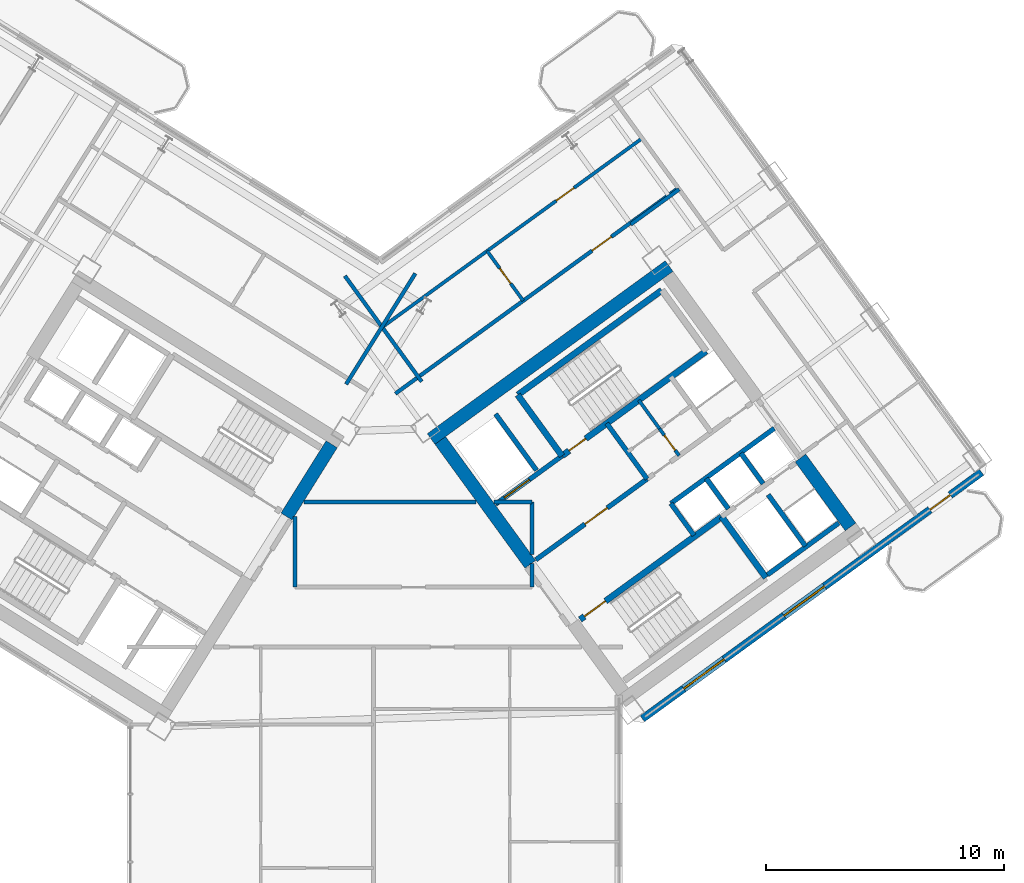
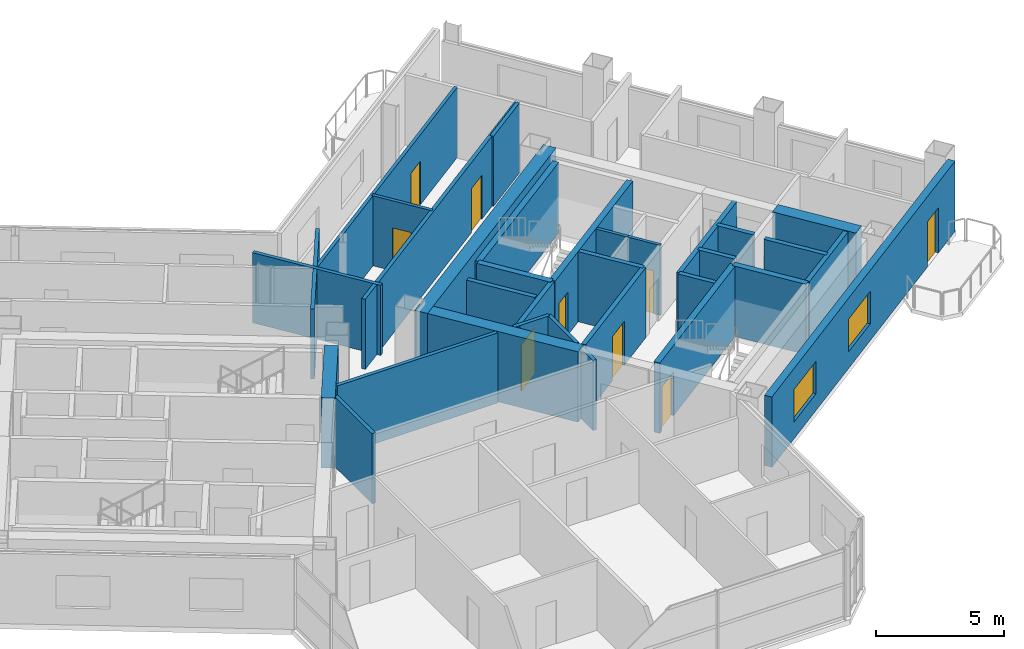
# One storey, part 14 of 21: 33 walls, 9 doors, 2 windows, 11 openings.
"""IFC4 building model written with IfcOpenShell, lengths in metres."""

from ifc_helpers import new_model, si_unit, direction, frame, frame_2d, origin, place, context, subcontext, project, spatial, rectangle, extrude, source, transform, mapped, material, layer, layer_set, type_object, element, fill, save


model = new_model("IFC4")

# Units and contexts
model_context = context("Model", 3, precision=1e-05, world=origin(), true_north=direction((0.0, 1.0)))
body_context = subcontext(model_context, "Body", "Model", "MODEL_VIEW")
ifc_project = project(units=[si_unit("LENGTHUNIT", "METRE"), si_unit("AREAUNIT", "SQUARE_METRE"), si_unit("VOLUMEUNIT", "CUBIC_METRE"), si_unit("PLANEANGLEUNIT", "RADIAN"), si_unit("MASSUNIT", "GRAM", prefix="KILO")], contexts=[model_context])

# Site, building, storey
site_placement = place(None, origin())
site = spatial("IfcSite", under=ifc_project, at=site_placement, CompositionType="ELEMENT")
building_placement = place(site_placement, origin())
building = spatial("IfcBuilding", under=site, at=building_placement, Name="Tlacorven Tower", CompositionType="ELEMENT")
storey_placement = place(building_placement, frame((0.0, 0.0, 105.300048828125)))
storey = spatial("IfcBuildingStorey", under=building, at=storey_placement, Name="L26", CompositionType="ELEMENT", Elevation=105.300048828125)

# Walls
ifc_material_1 = material(Name="Concrete C60/75", Category="concrete")
ifc_layer_1 = layer(ifc_material_1, 0.550048828125)
ifc_layer_set_1 = layer_set([ifc_layer_1], Name="Concrete C60/75")
wall_type_1 = type_object("IfcWallType", Name="WL-COR-550", PredefinedType="SHEAR", material=ifc_layer_set_1)
wall_1_placement = place(storey_placement, frame((40.194091796875, 23.92236328125, 0.0), z_axis=(0.0, 0.0, 1.0), x_axis=(-0.529888438328, -0.848067357541, 0.0)))
element("IfcWall", 1, at=wall_1_placement, inside=storey, type_object=wall_type_1, Name="L26 W core end wall E1.1", PredefinedType="SHEAR", context=body_context, shape_type="SweptSolid", body=[
    extrude(rectangle(XDim=3.574951171875, YDim=0.550048828125, at=frame_2d((1.78759765625, 0.0))), origin(), (0.0, 0.0, 1.0), 3.349853515625),
])
wall_2_placement = place(storey_placement, frame((44.364990234375, 24.142333984375, 0.0), z_axis=(0.0, 0.0, 1.0), x_axis=(0.809024304885, 0.587775190107, 0.0)))
element("IfcWall", 2, at=wall_2_placement, inside=storey, type_object=wall_type_1, Name="L26 E core shear wall S2", PredefinedType="SHEAR", context=body_context, shape_type="SweptSolid", body=[
    extrude(rectangle(XDim=12.340087890625, YDim=0.550048828125, at=frame_2d((6.169921875, 0.0))), origin(), (0.0, 0.0, 1.0), 3.349853515625),
])
wall_3_placement = place(storey_placement, frame((48.525634765625, 18.883544921875, 0.0), z_axis=(0.0, 0.0, 1.0), x_axis=(-0.587764933797, 0.809031756236, 0.0)))
element("IfcWall", 3, at=wall_3_placement, inside=storey, type_object=wall_type_1, Name="L26 E core end wall E1.2", PredefinedType="SHEAR", context=body_context, shape_type="SweptSolid", body=[
    extrude(rectangle(XDim=6.425048828125, YDim=0.550048828125, at=frame_2d((3.21240234375, 0.0))), origin(), (0.0, 0.0, 1.0), 3.349853515625),
])
wall_4_placement = place(storey_placement, frame((61.9580078125, 20.453857421875, 0.0), z_axis=(0.0, 0.0, 1.0), x_axis=(-0.587802113096, 0.809004744015, 0.0)))
element("IfcWall", 4, at=wall_4_placement, inside=storey, type_object=wall_type_1, Name="L26 E core end wall E2.1", PredefinedType="SHEAR", context=body_context, shape_type="SweptSolid", body=[
    extrude(rectangle(XDim=3.574951171875, YDim=0.550048828125, at=frame_2d((1.78759765625, 0.0))), origin(), (0.0, 0.0, 1.0), 3.349853515625),
])
ifc_material_2 = material(Name="Gypsum plasterboard acoustic partition", Category="gypsum")
ifc_layer_2 = layer(ifc_material_2, 0.159912109375)
ifc_layer_set_2 = layer_set([ifc_layer_2], Name="Gypsum plasterboard acoustic partition")
wall_type_2 = type_object("IfcWallType", Name="WL-DEM-160", PredefinedType="PARTITIONING", material=ifc_layer_set_2)
wall_5_placement = place(storey_placement, frame((43.70361328125, 31.086181640625, 0.0), z_axis=(0.0, 0.0, 1.0), x_axis=(-0.529906828443, -0.848055866774, 0.0)))
element("IfcWall", 5, at=wall_5_placement, inside=storey, type_object=wall_type_2, Name="L26 WC West Throat Wall", PredefinedType="PARTITIONING", context=body_context, shape_type="SweptSolid", body=[
    extrude(rectangle(XDim=5.479736328125, YDim=0.159912109375, at=frame_2d((2.73974609375, 0.0))), origin(), (0.0, 0.0, 1.0), 3.33984375),
])
wall_6_placement = place(storey_placement, frame((38.64990234375, 17.929931640625, 0.0), z_axis=(0.0, 0.0, 1.0), x_axis=(0.0, 1.0, 0.0)))
element("IfcWall", 6, at=wall_6_placement, inside=storey, type_object=wall_type_2, Name="L26 partition 76", PredefinedType="PARTITIONING", context=body_context, shape_type="SweptSolid", body=[
    extrude(rectangle(XDim=2.951416015625, YDim=0.159912109375, at=frame_2d((1.4755859375, 0.0))), origin(), (0.0, 0.0, 1.0), 3.33984375),
])
wall_7_placement = place(storey_placement, frame((48.60009765625, 17.929931640625, 0.0), z_axis=(0.0, 0.0, 1.0), x_axis=(0.0, 1.0, 0.0)))
element("IfcWall", 7, at=wall_7_placement, inside=storey, type_object=wall_type_2, Name="L26 partition 77", PredefinedType="PARTITIONING", context=body_context, shape_type="SweptSolid", body=[
    extrude(rectangle(XDim=0.99267578125, YDim=0.159912109375, at=frame_2d((0.496337890625, 0.0))), origin(), (0.0, 0.0, 1.0), 3.33984375),
])
wall_8_placement = place(storey_placement, frame((48.60009765625, 19.295166015625, 0.0), z_axis=(0.0, 0.0, 1.0), x_axis=(0.0, 1.0, 0.0)))
element("IfcWall", 8, at=wall_8_placement, inside=storey, type_object=wall_type_2, Name="L26 partition 77", PredefinedType="PARTITIONING", context=body_context, shape_type="SweptSolid", body=[
    extrude(rectangle(XDim=2.204833984375, YDim=0.159912109375, at=frame_2d((1.1025390625, 0.0))), origin(), (0.0, 0.0, 1.0), 3.33984375),
])
wall_9_placement = place(storey_placement, frame((39.03662109375, 21.5, 0.0), z_axis=(0.0, 0.0, 1.0), x_axis=(1.0, 0.0, 0.0)))
element("IfcWall", 9, at=wall_9_placement, inside=storey, type_object=wall_type_2, Name="L26 partition 78", PredefinedType="PARTITIONING", context=body_context, shape_type="SweptSolid", body=[
    extrude(rectangle(XDim=7.21484375, YDim=0.159912109375, at=frame_2d((3.607421875, 0.0))), origin(), (0.0, 0.0, 1.0), 3.33984375),
])
wall_10_placement = place(storey_placement, frame((46.998046875, 21.5, 0.0), z_axis=(0.0, 0.0, 1.0), x_axis=(1.0, 0.0, 0.0)))
element("IfcWall", 10, at=wall_10_placement, inside=storey, type_object=wall_type_2, Name="L26 partition 78", PredefinedType="PARTITIONING", context=body_context, shape_type="SweptSolid", body=[
    extrude(rectangle(XDim=1.60205078125, YDim=0.159912109375, at=frame_2d((0.801025390625, 0.0))), origin(), (0.0, 0.0, 1.0), 3.33984375),
])
wall_11_placement = place(storey_placement, frame((52.73876953125, 33.143310546875, 0.0), z_axis=(0.0, 0.0, 1.0), x_axis=(0.809000999347, 0.58780726693, 0.0)))
element("IfcWall", 11, at=wall_11_placement, inside=storey, type_object=wall_type_2, Name="L26 partition 91", PredefinedType="PARTITIONING", context=body_context, shape_type="SweptSolid", body=[
    extrude(rectangle(XDim=2.510009765625, YDim=0.159912109375, at=frame_2d((1.2548828125, 0.0))), origin(), (0.0, 0.0, 1.0), 3.33984375),
])

# Wall, opening, door
wall_12_placement = place(storey_placement, frame((42.86572265625, 26.04443359375, 0.0), z_axis=(0.0, 0.0, 1.0), x_axis=(0.809020254154, 0.587780765566, 0.0)))
wall_12 = element("IfcWall", 12, at=wall_12_placement, inside=storey, type_object=wall_type_2, Name="L26 partition 98", PredefinedType="PARTITIONING", context=body_context, shape_type="SweptSolid", body=[
    extrude(rectangle(XDim=14.670166015625, YDim=0.159912109375, at=frame_2d((7.3349609375, 0.0))), origin(), (0.0, 0.0, 1.0), 3.33984375),
])
opening_1_placement = place(wall_12_placement, frame((10.199951171875, 0.0, 0.0)))
opening_1 = element("IfcOpeningElement", 13, at=opening_1_placement, cuts=wall_12, Name="Opening D11", PredefinedType="OPENING", context=body_context, shape_type="SweptSolid", body=[
    extrude(rectangle(XDim=1.0, YDim=2.10009765625, at=frame_2d((0.5, 1.050048828125))), frame((0.0, 0.08984375, 0.0), z_axis=(0.0, -1.0, 0.0), x_axis=(1.0, 0.0, 0.0)), (0.0, 0.0, 1.0), 0.179931640625),
])
ifc_material_3 = material(Name="Fire-rated steel door assembly", Category="steel")
door_type_1 = type_object("IfcDoorType", Name="DR-FLT-FD60-1000", OperationType="NOTDEFINED", PredefinedType="DOOR", material=ifc_material_3)
shared_shape_1 = source(origin(), body_context, "Body", "SweptSolid", [
    extrude(rectangle(XDim=1.0, YDim=2.10009765625, at=frame_2d((0.5, 1.050048828125))), frame((0.0, 0.02490234375, 0.0), z_axis=(0.0, -1.0, 0.0), x_axis=(1.0, 0.0, 0.0)), (0.0, 0.0, 1.0), 0.050048828125),
])
door_1_placement = place(opening_1_placement, origin())
door_1 = element("IfcDoor", 14, at=door_1_placement, inside=storey, type_object=door_type_1, Name="L26 door 060", OperationType="SINGLE_SWING_LEFT", OverallHeight=2.10009765625, OverallWidth=1.0, PredefinedType="DOOR", context=body_context, shape_type="MappedRepresentation", body=[
    mapped(shared_shape_1, transform((0.0, 0.0, 0.0), scale=1.0)),
])
fill(opening_1, door_1)

# Wall
wall_13_placement = place(storey_placement, frame((43.969482421875, 26.549560546875, 0.0), z_axis=(0.0, 0.0, 1.0), x_axis=(-0.587776919386, 0.80902304852, 0.0)))
element("IfcWall", 15, at=wall_13_placement, inside=storey, type_object=wall_type_2, Name="L26 EC West Throat Wall", PredefinedType="PARTITIONING", context=body_context, shape_type="SweptSolid", body=[
    extrude(rectangle(XDim=5.47998046875, YDim=0.159912109375, at=frame_2d((2.739990234375, 0.0))), origin(), (0.0, 0.0, 1.0), 3.33984375),
])

# Wall, openings, door, windows
ifc_material_4 = material(Name="Precast concrete C45/55", Category="concrete")
ifc_layer_3 = layer(ifc_material_4, 0.320068359375)
ifc_layer_set_3 = layer_set([ifc_layer_3], Name="Precast concrete C45/55")
wall_type_3 = type_object("IfcWallType", Name="WL-EXT-320", PredefinedType="STANDARD", material=ifc_layer_set_3)
wall_14_placement = place(storey_placement, frame((67.45361328125, 22.746826171875, 0.0), z_axis=(0.0, 0.0, 1.0), x_axis=(-0.809021120468, -0.587779573171, 0.0)))
wall_14 = element("IfcWall", 16, at=wall_14_placement, inside=storey, type_object=wall_type_3, Name="L26 Masonry-Frame Recessed Facade Wall 6", PredefinedType="STANDARD", context=body_context, shape_type="SweptSolid", body=[
    extrude(rectangle(XDim=17.587646484375, YDim=0.320068359375, at=frame_2d((8.7939453125, 0.0))), origin(), (0.0, 0.0, 1.0), 3.349853515625),
])
opening_2_placement = place(wall_14_placement, frame((1.623779296875, 0.0, 0.0)))
opening_2 = element("IfcOpeningElement", 17, at=opening_2_placement, cuts=wall_14, Name="Opening D06", PredefinedType="OPENING", context=body_context, shape_type="SweptSolid", body=[
    extrude(rectangle(XDim=1.050048828125, YDim=2.14990234375, at=frame_2d((0.52490234375, 1.074951171875))), frame((0.0, 0.169921875, 0.0), z_axis=(0.0, -1.0, 0.0), x_axis=(1.0, 0.0, 0.0)), (0.0, 0.0, 1.0), 0.340087890625),
])
opening_3_placement = place(wall_14_placement, frame((8.143798828125, 0.0, 0.800048828125)))
opening_3 = element("IfcOpeningElement", 18, at=opening_3_placement, cuts=wall_14, Name="Opening WN04", PredefinedType="OPENING", context=body_context, shape_type="SweptSolid", body=[
    extrude(rectangle(XDim=2.10009765625, YDim=1.550048828125, at=frame_2d((1.050048828125, 0.77490234375))), frame((0.0, 0.169921875, 0.0), z_axis=(0.0, -1.0, 0.0), x_axis=(1.0, 0.0, 0.0)), (0.0, 0.0, 1.0), 0.340087890625),
])
opening_4_placement = place(wall_14_placement, frame((13.34375, 0.0, 0.800048828125)))
opening_4 = element("IfcOpeningElement", 19, at=opening_4_placement, cuts=wall_14, Name="Opening WN04", PredefinedType="OPENING", context=body_context, shape_type="SweptSolid", body=[
    extrude(rectangle(XDim=2.10009765625, YDim=1.550048828125, at=frame_2d((1.050048828125, 0.77490234375))), frame((0.0, 0.169921875, 0.0), z_axis=(0.0, -1.0, 0.0), x_axis=(1.0, 0.0, 0.0)), (0.0, 0.0, 1.0), 0.340087890625),
])
ifc_material_5 = material(Name="Powder-coated aluminium and timber door", Category="wood")
door_type_2 = type_object("IfcDoorType", Name="DR-EXT-BALC-1050", OperationType="NOTDEFINED", PredefinedType="DOOR", material=ifc_material_5)
shared_shape_2 = source(origin(), body_context, "Body", "SweptSolid", [
    extrude(rectangle(XDim=1.050048828125, YDim=2.14990234375, at=frame_2d((0.52490234375, 1.074951171875))), frame((0.0, 0.02490234375, 0.0), z_axis=(0.0, -1.0, 0.0), x_axis=(1.0, 0.0, 0.0)), (0.0, 0.0, 1.0), 0.050048828125),
])
door_2_placement = place(opening_2_placement, origin())
door_2 = element("IfcDoor", 20, at=door_2_placement, inside=storey, type_object=door_type_2, Name="L26 Outdoor Access Door BAL-L26-E-OUT", OperationType="SINGLE_SWING_LEFT", OverallHeight=2.14990234375, OverallWidth=1.050048828125, PredefinedType="DOOR", context=body_context, shape_type="MappedRepresentation", body=[
    mapped(shared_shape_2, transform((0.0, 0.0, 0.0), scale=1.0)),
])
fill(opening_2, door_2)
ifc_material_6 = material(Name="Dark solar low-E double glazing in anodised aluminium frame", Category="aluminium")
window_type = type_object("IfcWindowType", Name="WN-APT-2100X1750", PartitioningType="SINGLE_PANEL", PredefinedType="WINDOW", material=ifc_material_6)
shared_shape_3 = source(origin(), body_context, "Body", "SweptSolid", [
    extrude(rectangle(XDim=2.10009765625, YDim=1.550048828125, at=frame_2d((1.050048828125, 0.77490234375))), frame((0.0, 0.030029296875, 0.0), z_axis=(0.0, -1.0, 0.0), x_axis=(1.0, 0.0, 0.0)), (0.0, 0.0, 1.0), 0.06005859375),
])
window_1_placement = place(opening_3_placement, origin())
window_1 = element("IfcWindow", 21, at=window_1_placement, inside=storey, type_object=window_type, Name="L26 Recessed Masonry-Frame Window L26-06.1", OverallHeight=1.550048828125, OverallWidth=2.10009765625, PartitioningType="SINGLE_PANEL", PredefinedType="WINDOW", context=body_context, shape_type="MappedRepresentation", body=[
    mapped(shared_shape_3, transform((0.0, 0.0, 0.0), scale=1.0)),
])
fill(opening_3, window_1)
window_2_placement = place(opening_4_placement, origin())
window_2 = element("IfcWindow", 22, at=window_2_placement, inside=storey, type_object=window_type, Name="L26 Recessed Masonry-Frame Window L26-06.2", OverallHeight=1.550048828125, OverallWidth=2.10009765625, PartitioningType="SINGLE_PANEL", PredefinedType="WINDOW", context=body_context, shape_type="MappedRepresentation", body=[
    mapped(shared_shape_3, transform((0.0, 0.0, 0.0), scale=1.0)),
])
fill(opening_4, window_2)

# Wall, opening, door
ifc_material_7 = material(Name="Moisture-resistant gypsum plumbing wall", Category="gypsum")
ifc_layer_4 = layer(ifc_material_7, 0.139892578125)
ifc_layer_set_4 = layer_set([ifc_layer_4], Name="Moisture-resistant gypsum plumbing wall")
wall_type_4 = type_object("IfcWallType", Name="WL-PLM-140", PredefinedType="PLUMBINGWALL", material=ifc_layer_set_4)
wall_15_placement = place(storey_placement, frame((54.767578125, 23.443359375, 0.0), z_axis=(0.0, 0.0, 1.0), x_axis=(-0.587736077749, 0.809052719489, 0.0)))
wall_15 = element("IfcWall", 23, at=wall_15_placement, inside=storey, type_object=wall_type_4, Name="L26 partition 46", PredefinedType="PLUMBINGWALL", context=body_context, shape_type="SweptSolid", body=[
    extrude(rectangle(XDim=1.39990234375, YDim=0.139892578125, at=frame_2d((0.699951171875, 0.0))), origin(), (0.0, 0.0, 1.0), 3.33984375),
])
opening_5_placement = place(wall_15_placement, frame((0.280029296875, 0.0, 0.0)))
opening_5 = element("IfcOpeningElement", 24, at=opening_5_placement, cuts=wall_15, Name="Opening D22", PredefinedType="OPENING", context=body_context, shape_type="SweptSolid", body=[
    extrude(rectangle(XDim=0.780029296875, YDim=2.050048828125, at=frame_2d((0.39013671875, 1.02490234375))), frame((0.0, 0.080078125, 0.0), z_axis=(0.0, -1.0, 0.0), x_axis=(1.0, 0.0, 0.0)), (0.0, 0.0, 1.0), 0.159912109375),
])
door_type_3 = type_object("IfcDoorType", Name="DR-INT-WET-0780", OperationType="NOTDEFINED", PredefinedType="DOOR", material=ifc_material_5)
shared_shape_4 = source(origin(), body_context, "Body", "SweptSolid", [
    extrude(rectangle(XDim=0.780029296875, YDim=2.050048828125, at=frame_2d((0.39013671875, 1.02490234375))), frame((0.0, 0.02490234375, 0.0), z_axis=(0.0, -1.0, 0.0), x_axis=(1.0, 0.0, 0.0)), (0.0, 0.0, 1.0), 0.050048828125),
])
door_3_placement = place(opening_5_placement, origin())
door_3 = element("IfcDoor", 25, at=door_3_placement, inside=storey, type_object=door_type_3, Name="L26 door 020", OperationType="SINGLE_SWING_RIGHT", OverallHeight=2.050048828125, OverallWidth=0.780029296875, PredefinedType="DOOR", context=body_context, shape_type="MappedRepresentation", body=[
    mapped(shared_shape_4, transform((0.0, 0.0, 0.0), scale=1.0)),
])
fill(opening_5, door_3)

# Wall
wall_16_placement = place(storey_placement, frame((53.94482421875, 24.575927734375, 0.0), z_axis=(0.0, 0.0, 1.0), x_axis=(-0.587897037186, 0.808935766095, 0.0)))
element("IfcWall", 26, at=wall_16_placement, inside=storey, type_object=wall_type_4, Name="L26 partition 47", PredefinedType="PLUMBINGWALL", context=body_context, shape_type="SweptSolid", body=[
    extrude(rectangle(XDim=1.47998046875, YDim=0.139892578125, at=frame_2d((0.739990234375, 0.0))), origin(), (0.0, 0.0, 1.0), 3.33984375),
])

# Wall, opening, door
wall_17_placement = place(storey_placement, frame((42.376708984375, 28.878173828125, 0.0), z_axis=(0.0, 0.0, 1.0), x_axis=(0.809020411523, 0.587780548963, 0.0)))
wall_17 = element("IfcWall", 27, at=wall_17_placement, inside=storey, type_object=wall_type_4, Name="L26 partition 100", PredefinedType="PLUMBINGWALL", context=body_context, shape_type="SweptSolid", body=[
    extrude(rectangle(XDim=13.39990234375, YDim=0.139892578125, at=frame_2d((6.699951171875, 0.0))), origin(), (0.0, 0.0, 1.0), 3.33984375),
])
opening_6_placement = place(wall_17_placement, frame((8.93994140625, 0.0, 0.0)))
opening_6 = element("IfcOpeningElement", 28, at=opening_6_placement, cuts=wall_17, Name="Opening D12", PredefinedType="OPENING", context=body_context, shape_type="SweptSolid", body=[
    extrude(rectangle(XDim=0.919921875, YDim=2.080078125, at=frame_2d((0.4599609375, 1.0400390625))), frame((0.0, 0.080078125, 0.0), z_axis=(0.0, -1.0, 0.0), x_axis=(1.0, 0.0, 0.0)), (0.0, 0.0, 1.0), 0.159912109375),
])
door_type_4 = type_object("IfcDoorType", Name="DR-INT-ROOM-0920", OperationType="NOTDEFINED", PredefinedType="DOOR", material=ifc_material_5)
shared_shape_5 = source(origin(), body_context, "Body", "SweptSolid", [
    extrude(rectangle(XDim=0.919921875, YDim=2.080078125, at=frame_2d((0.4599609375, 1.0400390625))), frame((0.0, 0.02490234375, 0.0), z_axis=(0.0, -1.0, 0.0), x_axis=(1.0, 0.0, 0.0)), (0.0, 0.0, 1.0), 0.050048828125),
])
door_4_placement = place(opening_6_placement, origin())
door_4 = element("IfcDoor", 29, at=door_4_placement, inside=storey, type_object=door_type_4, Name="L26 door 061", OperationType="SINGLE_SWING_RIGHT", OverallHeight=2.080078125, OverallWidth=0.919921875, PredefinedType="DOOR", context=body_context, shape_type="MappedRepresentation", body=[
    mapped(shared_shape_5, transform((0.0, 0.0, 0.0), scale=1.0)),
])
fill(opening_6, door_4)

wall_18_placement = place(storey_placement, frame((48.2294921875, 29.94140625, 0.0), z_axis=(0.0, 0.0, 1.0), x_axis=(-0.587772116736, 0.809026537752, 0.0)))
wall_18 = element("IfcWall", 30, at=wall_18_placement, inside=storey, type_object=wall_type_4, Name="L26 partition 101", PredefinedType="PLUMBINGWALL", context=body_context, shape_type="SweptSolid", body=[
    extrude(rectangle(XDim=2.579833984375, YDim=0.139892578125, at=frame_2d((1.2900390625, 0.0))), origin(), (0.0, 0.0, 1.0), 3.33984375),
])
opening_7_placement = place(wall_18_placement, frame((0.89990234375, 0.0, 0.0)))
opening_7 = element("IfcOpeningElement", 31, at=opening_7_placement, cuts=wall_18, Name="Opening D22", PredefinedType="OPENING", context=body_context, shape_type="SweptSolid", body=[
    extrude(rectangle(XDim=0.780029296875, YDim=2.050048828125, at=frame_2d((0.39013671875, 1.02490234375))), frame((0.0, 0.080078125, 0.0), z_axis=(0.0, -1.0, 0.0), x_axis=(1.0, 0.0, 0.0)), (0.0, 0.0, 1.0), 0.159912109375),
])
door_5_placement = place(opening_7_placement, origin())
door_5 = element("IfcDoor", 32, at=door_5_placement, inside=storey, type_object=door_type_3, Name="L26 door 062", OperationType="SINGLE_SWING_LEFT", OverallHeight=2.050048828125, OverallWidth=0.780029296875, PredefinedType="DOOR", context=body_context, shape_type="MappedRepresentation", body=[
    mapped(shared_shape_4, transform((0.0, 0.0, 0.0), scale=1.0)),
])
fill(opening_7, door_5)

ifc_material_8 = material(Name="Concrete C40/50", Category="concrete")
ifc_layer_5 = layer(ifc_material_8, 0.199951171875)
ifc_layer_set_5 = layer_set([ifc_layer_5], Name="Concrete C40/50")
wall_type_5 = type_object("IfcWallType", Name="WL-SHF-200", PredefinedType="STANDARD", material=ifc_layer_set_5)
wall_19_placement = place(storey_placement, frame((47.0654296875, 21.4072265625, 0.0), z_axis=(0.0, 0.0, 1.0), x_axis=(0.809032984992, 0.587763242466, 0.0)))
wall_19 = element("IfcWall", 33, at=wall_19_placement, inside=storey, type_object=wall_type_5, Name="L26 Core E Firefighting Lift Shaft Front Wall", PredefinedType="STANDARD", context=body_context, shape_type="SweptSolid", body=[
    extrude(rectangle(XDim=3.447998046875, YDim=0.199951171875, at=frame_2d((1.72412109375, 0.0))), origin(), (0.0, 0.0, 1.0), 3.33984375),
])
opening_8_placement = place(wall_19_placement, frame((0.4580078125, 0.0, 0.0)))
opening_8 = element("IfcOpeningElement", 34, at=opening_8_placement, cuts=wall_19, Name="Opening LD03", PredefinedType="OPENING", context=body_context, shape_type="SweptSolid", body=[
    extrude(rectangle(XDim=1.300048828125, YDim=2.199951171875, at=frame_2d((0.64990234375, 1.10009765625))), frame((0.0, 0.10986328125, 0.0), z_axis=(0.0, -1.0, 0.0), x_axis=(1.0, 0.0, 0.0)), (0.0, 0.0, 1.0), 0.219970703125),
])
door_type_5 = type_object("IfcDoorType", Name="DR-LFT-SLID-1300", OperationType="DOUBLE_DOOR_SLIDING", PredefinedType="DOOR", material=ifc_material_3)
shared_shape_6 = source(origin(), body_context, "Body", "SweptSolid", [
    extrude(rectangle(XDim=1.300048828125, YDim=2.199951171875, at=frame_2d((0.64990234375, 1.10009765625))), frame((0.0, 0.02490234375, 0.0), z_axis=(0.0, -1.0, 0.0), x_axis=(1.0, 0.0, 0.0)), (0.0, 0.0, 1.0), 0.050048828125),
])
door_6_placement = place(opening_8_placement, origin())
door_6 = element("IfcDoor", 35, at=door_6_placement, inside=storey, type_object=door_type_5, Name="L26 Lift FFL-E1 Sliding Landing Door", OperationType="DOUBLE_DOOR_SLIDING", OverallHeight=2.199951171875, OverallWidth=1.300048828125, PredefinedType="DOOR", context=body_context, shape_type="MappedRepresentation", body=[
    mapped(shared_shape_6, transform((0.0, 0.0, 0.0), scale=1.0)),
])
fill(opening_8, door_6)

wall_20_placement = place(storey_placement, frame((48.75830078125, 19.0771484375, 0.0), z_axis=(0.0, 0.0, 1.0), x_axis=(0.809005065155, 0.587801671104, 0.0)))
wall_20 = element("IfcWall", 36, at=wall_20_placement, inside=storey, type_object=wall_type_5, Name="L26 Core E Smoke Lobby Wall", PredefinedType="STANDARD", context=body_context, shape_type="SweptSolid", body=[
    extrude(rectangle(XDim=5.767822265625, YDim=0.199951171875, at=frame_2d((2.8837890625, 0.0))), origin(), (0.0, 0.0, 1.0), 3.33984375),
])
opening_9_placement = place(wall_20_placement, frame((2.548095703125, 0.0, 0.0)))
opening_9 = element("IfcOpeningElement", 37, at=opening_9_placement, cuts=wall_20, Name="Opening D09", PredefinedType="OPENING", context=body_context, shape_type="SweptSolid", body=[
    extrude(rectangle(XDim=1.14990234375, YDim=2.10009765625, at=frame_2d((0.574951171875, 1.050048828125))), frame((0.0, 0.10986328125, 0.0), z_axis=(0.0, -1.0, 0.0), x_axis=(1.0, 0.0, 0.0)), (0.0, 0.0, 1.0), 0.219970703125),
])
door_type_6 = type_object("IfcDoorType", Name="DR-FFL-FD60-1150", OperationType="NOTDEFINED", PredefinedType="DOOR", material=ifc_material_3)
shared_shape_7 = source(origin(), body_context, "Body", "SweptSolid", [
    extrude(rectangle(XDim=1.14990234375, YDim=2.10009765625, at=frame_2d((0.574951171875, 1.050048828125))), frame((0.0, 0.02490234375, 0.0), z_axis=(0.0, -1.0, 0.0), x_axis=(1.0, 0.0, 0.0)), (0.0, 0.0, 1.0), 0.050048828125),
])
door_7_placement = place(opening_9_placement, origin())
door_7 = element("IfcDoor", 38, at=door_7_placement, inside=storey, type_object=door_type_6, Name="L26 Firefighting Lobby E Fire Door", OperationType="SINGLE_SWING_RIGHT", OverallHeight=2.10009765625, OverallWidth=1.14990234375, PredefinedType="DOOR", context=body_context, shape_type="MappedRepresentation", body=[
    mapped(shared_shape_7, transform((0.0, 0.0, 0.0), scale=1.0)),
])
fill(opening_9, door_7)

# Walls
wall_21_placement = place(storey_placement, frame((54.421142578125, 21.436279296875, 0.0), z_axis=(0.0, 0.0, 1.0), x_axis=(0.809013710463, 0.587789772183, 0.0)))
element("IfcWall", 39, at=wall_21_placement, inside=storey, type_object=wall_type_5, Name="L26 partition 34", PredefinedType="STANDARD", context=body_context, shape_type="SweptSolid", body=[
    extrude(rectangle(XDim=5.360107421875, YDim=0.199951171875, at=frame_2d((2.68017578125, 0.0))), origin(), (0.0, 0.0, 1.0), 3.33984375),
])
wall_22_placement = place(storey_placement, frame((55.390869140625, 20.1015625, 0.0), z_axis=(0.0, 0.0, 1.0), x_axis=(-0.58778447739, 0.809017557374, 0.0)))
element("IfcWall", 40, at=wall_22_placement, inside=storey, type_object=wall_type_5, Name="L26 partition 35", PredefinedType="STANDARD", context=body_context, shape_type="SweptSolid", body=[
    extrude(rectangle(XDim=1.64990234375, YDim=0.199951171875, at=frame_2d((0.824951171875, 0.0))), origin(), (0.0, 0.0, 1.0), 3.33984375),
])
wall_23_placement = place(storey_placement, frame((48.78564453125, 22.830078125, 0.0), z_axis=(0.0, 0.0, 1.0), x_axis=(-0.587783856777, 0.809018008275, 0.0)))
element("IfcWall", 41, at=wall_23_placement, inside=storey, type_object=wall_type_5, Name="L26 partition 36", PredefinedType="STANDARD", context=body_context, shape_type="SweptSolid", body=[
    extrude(rectangle(XDim=2.919921875, YDim=0.199951171875, at=frame_2d((1.4599609375, 0.0))), origin(), (0.0, 0.0, 1.0), 3.33984375),
])
wall_24_placement = place(storey_placement, frame((56.833984375, 21.211669921875, 0.0), z_axis=(0.0, 0.0, 1.0), x_axis=(-0.58776738483, 0.809029975545, 0.0)))
element("IfcWall", 42, at=wall_24_placement, inside=storey, type_object=wall_type_5, Name="L26 partition 37", PredefinedType="STANDARD", context=body_context, shape_type="SweptSolid", body=[
    extrude(rectangle(XDim=1.580078125, YDim=0.199951171875, at=frame_2d((0.7900390625, 0.0))), origin(), (0.0, 0.0, 1.0), 3.33984375),
])
wall_25_placement = place(storey_placement, frame((58.290283203125, 22.269775390625, 0.0), z_axis=(0.0, 0.0, 1.0), x_axis=(-0.587840865826, 0.808976585857, 0.0)))
element("IfcWall", 43, at=wall_25_placement, inside=storey, type_object=wall_type_5, Name="L26 partition 38", PredefinedType="STANDARD", context=body_context, shape_type="SweptSolid", body=[
    extrude(rectangle(XDim=1.579833984375, YDim=0.199951171875, at=frame_2d((0.7900390625, 0.0))), origin(), (0.0, 0.0, 1.0), 3.33984375),
])
wall_26_placement = place(storey_placement, frame((60.066650390625, 19.654541015625, 0.0), z_axis=(0.0, 0.0, 1.0), x_axis=(-0.587800520745, 0.809005900975, 0.0)))
element("IfcWall", 44, at=wall_26_placement, inside=storey, type_object=wall_type_5, Name="L26 partition 39", PredefinedType="STANDARD", context=body_context, shape_type="SweptSolid", body=[
    extrude(rectangle(XDim=2.659912109375, YDim=0.199951171875, at=frame_2d((1.330078125, 0.0))), origin(), (0.0, 0.0, 1.0), 3.33984375),
])
wall_27_placement = place(storey_placement, frame((58.47216796875, 18.446533203125, 0.0), z_axis=(0.0, 0.0, 1.0), x_axis=(0.809018631237, 0.587782999339, 0.0)))
element("IfcWall", 45, at=wall_27_placement, inside=storey, type_object=wall_type_5, Name="L26 partition 41", PredefinedType="STANDARD", context=body_context, shape_type="SweptSolid", body=[
    extrude(rectangle(XDim=3.697998046875, YDim=0.199951171875, at=frame_2d((1.84912109375, 0.0))), origin(), (0.0, 0.0, 1.0), 3.33984375),
])
wall_28_placement = place(storey_placement, frame((53.424560546875, 22.467529296875, 0.0), z_axis=(0.0, 0.0, 1.0), x_axis=(-0.5877230039, 0.809062216821, 0.0)))
element("IfcWall", 46, at=wall_28_placement, inside=storey, type_object=wall_type_5, Name="L26 partition 43", PredefinedType="STANDARD", context=body_context, shape_type="SweptSolid", body=[
    extrude(rectangle(XDim=2.8798828125, YDim=0.199951171875, at=frame_2d((1.43994140625, 0.0))), origin(), (0.0, 0.0, 1.0), 3.33984375),
])
ifc_material_9 = material(Name="Concrete C50/60", Category="concrete")
ifc_layer_6 = layer(ifc_material_9, 0.260009765625)
ifc_layer_set_6 = layer_set([ifc_layer_6], Name="Concrete C50/60")
wall_type_6 = type_object("IfcWallType", Name="WL-STW-260", PredefinedType="SHEAR", material=ifc_layer_set_6)
wall_29_placement = place(storey_placement, frame((48.005615234375, 25.996337890625, 0.0), z_axis=(0.0, 0.0, 1.0), x_axis=(0.80901903764, 0.587782439969, 0.0)))
element("IfcWall", 47, at=wall_29_placement, inside=storey, type_object=wall_type_6, Name="L26 Stair E1 Far Shear Wall", PredefinedType="SHEAR", context=body_context, shape_type="SweptSolid", body=[
    extrude(rectangle(XDim=7.4599609375, YDim=0.260009765625, at=frame_2d((3.72998046875, 0.0))), origin(), (0.0, 0.0, 1.0), 3.349853515625),
])

# Wall, opening, door
wall_30_placement = place(storey_placement, frame((49.863037109375, 23.439697265625, 0.0), z_axis=(0.0, 0.0, 1.0), x_axis=(0.809003474932, 0.587803859759, 0.0)))
wall_30 = element("IfcWall", 48, at=wall_30_placement, inside=storey, type_object=wall_type_6, Name="L26 Stair E1 Lobby Shear Wall", PredefinedType="SHEAR", context=body_context, shape_type="SweptSolid", body=[
    extrude(rectangle(XDim=7.4599609375, YDim=0.260009765625, at=frame_2d((3.72998046875, 0.0))), origin(), (0.0, 0.0, 1.0), 3.349853515625),
])
opening_10_placement = place(wall_30_placement, frame((0.360107421875, 0.0, 0.0)))
opening_10 = element("IfcOpeningElement", 49, at=opening_10_placement, cuts=wall_30, Name="Opening D19", PredefinedType="OPENING", context=body_context, shape_type="SweptSolid", body=[
    extrude(rectangle(XDim=0.860107421875, YDim=2.050048828125, at=frame_2d((0.43017578125, 1.02490234375))), frame((0.0, 0.14013671875, 0.0), z_axis=(0.0, -1.0, 0.0), x_axis=(1.0, 0.0, 0.0)), (0.0, 0.0, 1.0), 0.280029296875),
])
door_type_7 = type_object("IfcDoorType", Name="DR-RSR-FD60-0860", OperationType="NOTDEFINED", PredefinedType="DOOR", material=ifc_material_3)
shared_shape_8 = source(origin(), body_context, "Body", "SweptSolid", [
    extrude(rectangle(XDim=0.860107421875, YDim=2.050048828125, at=frame_2d((0.43017578125, 1.02490234375))), frame((0.0, 0.02490234375, 0.0), z_axis=(0.0, -1.0, 0.0), x_axis=(1.0, 0.0, 0.0)), (0.0, 0.0, 1.0), 0.050048828125),
])
door_8_placement = place(opening_10_placement, frame((0.860107421875, 0.0, 0.0), z_axis=(0.0, 0.0, 1.0), x_axis=(-1.0, 0.0, 0.0)))
door_8 = element("IfcDoor", 50, at=door_8_placement, inside=storey, type_object=door_type_7, Name="L26 Exit Stair E1 Fire Door", OperationType="SINGLE_SWING_LEFT", OverallHeight=2.050048828125, OverallWidth=0.860107421875, PredefinedType="DOOR", context=body_context, shape_type="MappedRepresentation", body=[
    mapped(shared_shape_8, transform((0.0, 0.0, 0.0), scale=1.0)),
])
fill(opening_10, door_8)

# Wall
wall_31_placement = place(storey_placement, frame((49.85498046875, 23.433837890625, 0.0), z_axis=(0.0, 0.0, 1.0), x_axis=(-0.58776738483, 0.809029975545, 0.0)))
element("IfcWall", 51, at=wall_31_placement, inside=storey, type_object=wall_type_6, Name="L26 Stair E1 West Shear Wall", PredefinedType="SHEAR", context=body_context, shape_type="SweptSolid", body=[
    extrude(rectangle(XDim=3.16015625, YDim=0.260009765625, at=frame_2d((1.580078125, 0.0))), origin(), (0.0, 0.0, 1.0), 3.349853515625),
])

# Wall, opening, door
wall_32_placement = place(storey_placement, frame((50.61474609375, 16.569580078125, 0.0), z_axis=(0.0, 0.0, 1.0), x_axis=(0.809028366311, 0.587769599847, 0.0)))
wall_32 = element("IfcWall", 52, at=wall_32_placement, inside=storey, type_object=wall_type_6, Name="L26 Stair E2 Lobby Shear Wall", PredefinedType="SHEAR", context=body_context, shape_type="SweptSolid", body=[
    extrude(rectangle(XDim=7.330078125, YDim=0.260009765625, at=frame_2d((3.6650390625, 0.0))), origin(), (0.0, 0.0, 1.0), 3.349853515625),
])
opening_11_placement = place(wall_32_placement, frame((0.219970703125, 0.0, 0.0)))
opening_11 = element("IfcOpeningElement", 53, at=opening_11_placement, cuts=wall_32, Name="Opening D07", PredefinedType="OPENING", context=body_context, shape_type="SweptSolid", body=[
    extrude(rectangle(XDim=1.10009765625, YDim=2.10009765625, at=frame_2d((0.550048828125, 1.050048828125))), frame((0.0, 0.14013671875, 0.0), z_axis=(0.0, -1.0, 0.0), x_axis=(1.0, 0.0, 0.0)), (0.0, 0.0, 1.0), 0.280029296875),
])
door_type_8 = type_object("IfcDoorType", Name="DR-STR-FD90-1100", OperationType="NOTDEFINED", PredefinedType="DOOR", material=ifc_material_3)
shared_shape_9 = source(origin(), body_context, "Body", "SweptSolid", [
    extrude(rectangle(XDim=1.10009765625, YDim=2.10009765625, at=frame_2d((0.550048828125, 1.050048828125))), frame((0.0, 0.02490234375, 0.0), z_axis=(0.0, -1.0, 0.0), x_axis=(1.0, 0.0, 0.0)), (0.0, 0.0, 1.0), 0.050048828125),
])
door_9_placement = place(opening_11_placement, origin())
door_9 = element("IfcDoor", 54, at=door_9_placement, inside=storey, type_object=door_type_8, Name="L26 Exit Stair E2 Fire Door", OperationType="SINGLE_SWING_LEFT", OverallHeight=2.10009765625, OverallWidth=1.10009765625, PredefinedType="DOOR", context=body_context, shape_type="MappedRepresentation", body=[
    mapped(shared_shape_9, transform((0.0, 0.0, 0.0), scale=1.0)),
])
fill(opening_11, door_9)

# Wall
wall_33_placement = place(storey_placement, frame((58.410400390625, 18.327392578125, 0.0), z_axis=(0.0, 0.0, 1.0), x_axis=(-0.58776738483, 0.809029975545, 0.0)))
element("IfcWall", 55, at=wall_33_placement, inside=storey, type_object=wall_type_6, Name="L26 Stair E2 East Shear Wall", PredefinedType="SHEAR", context=body_context, shape_type="SweptSolid", body=[
    extrude(rectangle(XDim=3.16015625, YDim=0.260009765625, at=frame_2d((1.580078125, 0.0))), origin(), (0.0, 0.0, 1.0), 3.349853515625),
])

save(model, "model.ifc")
